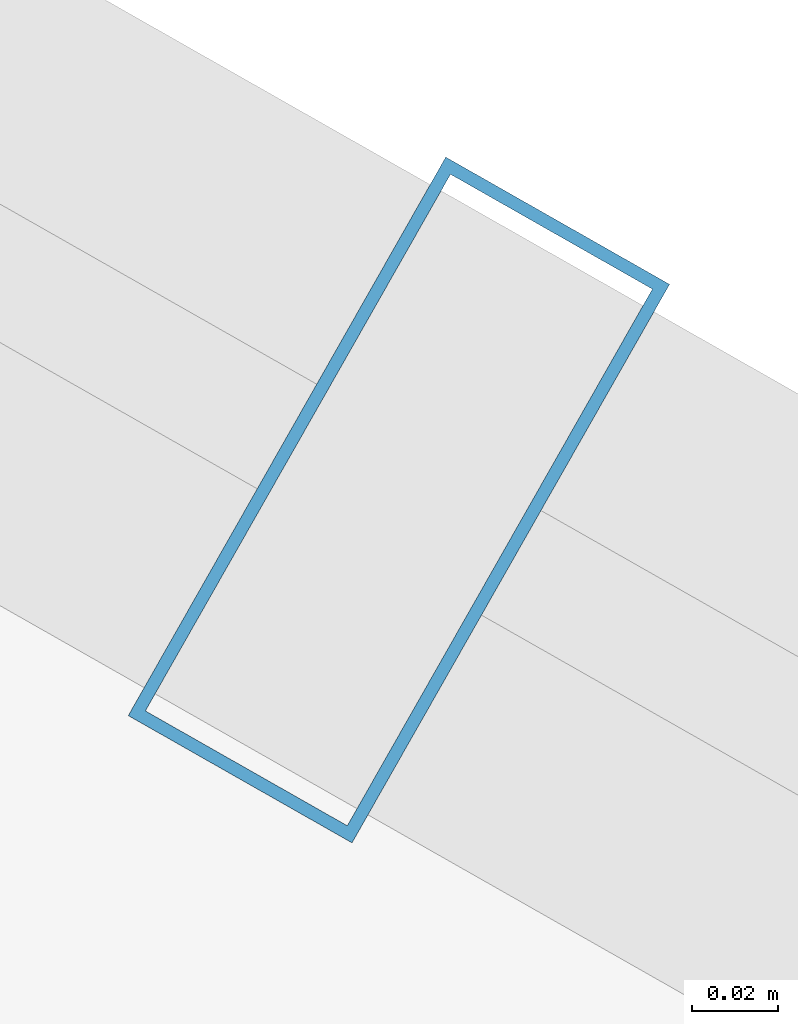
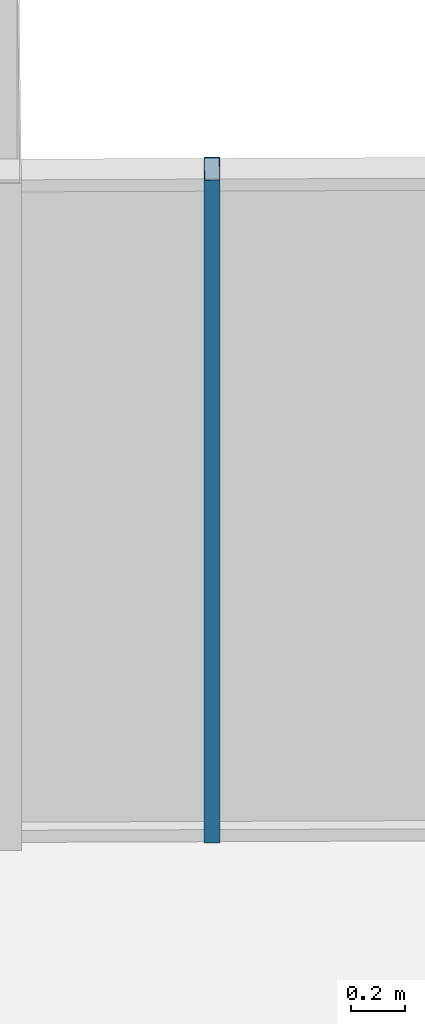
# One storey, part 25 of 31: 1 member, 1 element without a shape of its own.
"""IFC4 building model written with IfcOpenShell, lengths in metres."""

from ifc_helpers import new_model, si_unit, direction, frame, origin, origin_2d, place, context, subcontext, project, spatial, hollow_rectangle, extrude, source, transform, mapped, material, layer, layer_set, material_profile, profile_set, type_object, element, aggregate, save


model = new_model("IFC4")

# Units and contexts
model_context = context("Model", 3, precision=1e-05, world=origin(), true_north=direction((0.0, 1.0)))
body_context = subcontext(model_context, "Body", "Model", "MODEL_VIEW")
ifc_project = project(units=[si_unit("LENGTHUNIT", "METRE"), si_unit("AREAUNIT", "SQUARE_METRE"), si_unit("VOLUMEUNIT", "CUBIC_METRE"), si_unit("PLANEANGLEUNIT", "RADIAN"), si_unit("MASSUNIT", "GRAM", prefix="KILO")], contexts=[model_context])

# Site, building, storey
site_placement = place(None, origin())
site = spatial("IfcSite", under=ifc_project, at=site_placement, CompositionType="ELEMENT")
building_placement = place(site_placement, origin())
building = spatial("IfcBuilding", under=site, at=building_placement, Name="Veraguas Prism Commons", CompositionType="ELEMENT")
storey_placement = place(building_placement, frame((0.0, 0.0, 204.85009765625)))
storey = spatial("IfcBuildingStorey", under=building, at=storey_placement, Name="L58", CompositionType="ELEMENT", Elevation=204.85009765625)

# Curtain wall, member
ifc_material = material(Name="Anodised aluminium EN AW-6063 T6", Category="aluminium")
ifc_layer = layer(ifc_material, 0.14990234375, Name="Unitised Flush Curtain Wall Zone 3", Category="aluminium")
ifc_layer_set = layer_set([ifc_layer], Name="Anodised aluminium EN AW-6063 T6")
curtain_wall_type = type_object("IfcCurtainWallType", Name="Unitised Flush Curtain Wall Zone 3", PredefinedType="NOTDEFINED", material=ifc_layer_set)
curtain_wall_placement = place(storey_placement, origin())
curtain_wall = element("IfcCurtainWall", 1, at=curtain_wall_placement, inside=storey, type_object=curtain_wall_type, Name="Tower Facade Curtain Wall L58-F1", PredefinedType="NOTDEFINED")
ifc_material_profile = material_profile(ifc_material, hollow_rectangle(XDim=0.06005859375, YDim=0.14990234375, WallThickness=0.0029296875, at=origin_2d()), Name="AL60X150X3")
ifc_profile_set = profile_set([ifc_material_profile], Name="Anodised aluminium EN AW-6063 T6")
member_type = type_object("IfcMemberType", Name="Curtain Wall Mullion Upper AL 60x150x3", PredefinedType="MULLION", material=ifc_profile_set)
shared_shape = source(origin(), body_context, "Body", "SweptSolid", [
    extrude(hollow_rectangle(XDim=0.06005859375, YDim=0.14990234375, WallThickness=0.0029296875, at=origin_2d()), origin(), (0.0, 0.0, 1.0), 3.014892578125),
])
member_placement = place(storey_placement, frame((36.209228515625, 37.430908203125, 0.0), z_axis=(0.0, 0.0, 1.0), x_axis=(-0.869323320918, 0.494243830218, 0.0)))
member = element("IfcMember", 2, at=member_placement, type_object=member_type, Name="CW-Z3 Mullion 2", PredefinedType="MULLION", context=body_context, shape_type="MappedRepresentation", body=[
    mapped(shared_shape, transform((0.0, 0.0, 0.0), scale=1.0)),
])
aggregate(curtain_wall, [member])

save(model, "model.ifc")
